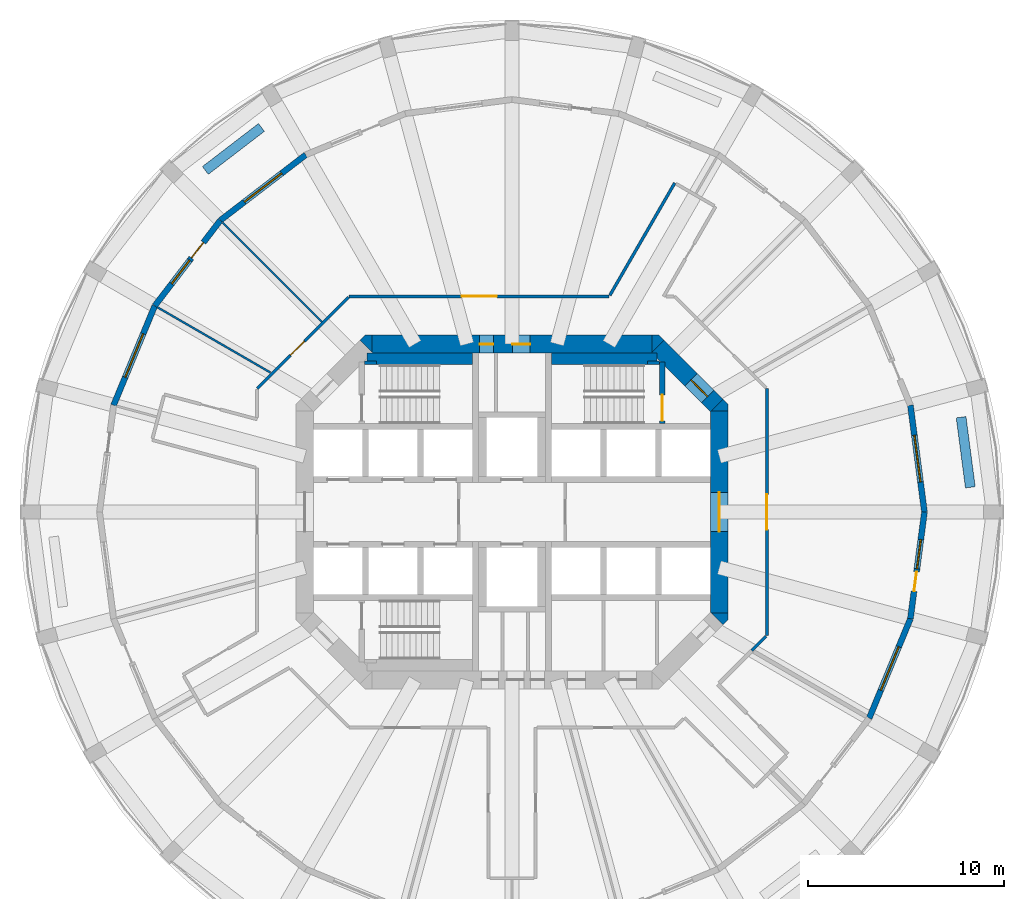
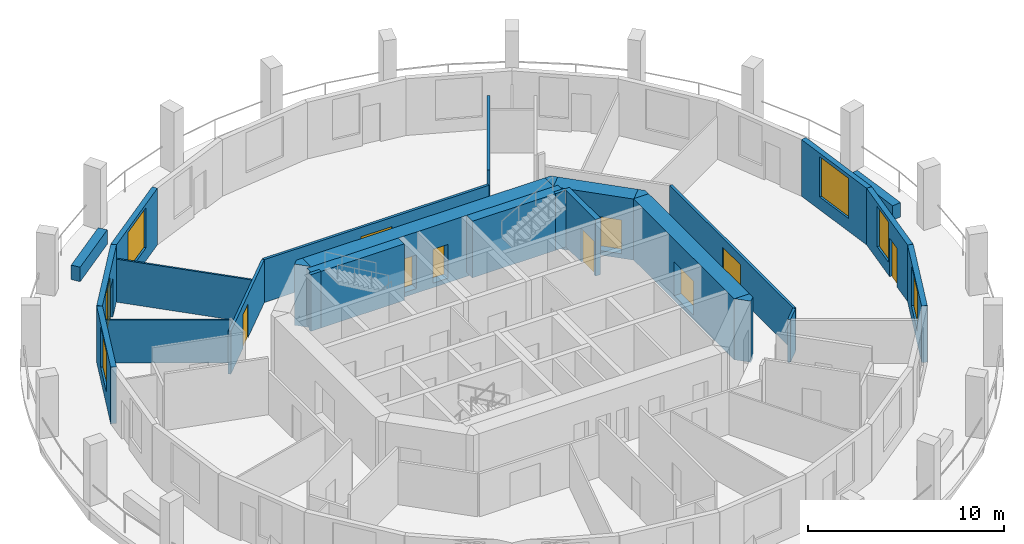
# One storey, part 5 of 8: 27 walls, 10 doors, 6 windows, 16 openings.
"""IFC4 building model written with IfcOpenShell, lengths in metres."""

from ifc_helpers import new_model, si_unit, direction, frame, frame_2d, origin, place, context, subcontext, project, spatial, polyline, rectangle, outline, extrude, material, layer, layer_set, type_object, element, fill, save


model = new_model("IFC4")

# Units and contexts
model_context = context("Model", 3, precision=1e-05, world=origin(), true_north=direction((0.0, 1.0)))
body_context = subcontext(model_context, "Body", "Model", "MODEL_VIEW")
ifc_project = project(units=[si_unit("LENGTHUNIT", "METRE"), si_unit("AREAUNIT", "SQUARE_METRE"), si_unit("VOLUMEUNIT", "CUBIC_METRE"), si_unit("PLANEANGLEUNIT", "RADIAN"), si_unit("MASSUNIT", "GRAM", prefix="KILO")], contexts=[model_context])

# Site, building, storey
site_placement = place(None, origin())
site = spatial("IfcSite", under=ifc_project, at=site_placement, CompositionType="ELEMENT")
building_placement = place(site_placement, origin())
building = spatial("IfcBuilding", under=site, at=building_placement, Name="Torre Triforio", CompositionType="ELEMENT")
storey_placement = place(building_placement, frame((0.0, 0.0, 123.800048828125)))
storey = spatial("IfcBuildingStorey", under=building, at=storey_placement, Name="L27", CompositionType="ELEMENT", Elevation=123.800048828125)

# Wall, openings, doors
ifc_material_1 = material(Name="Concrete C60", Category="concrete")
ifc_layer_1 = layer(ifc_material_1, 0.89990234375)
ifc_layer_set_1 = layer_set([ifc_layer_1], Name="Concrete C60")
wall_type_1 = type_object("IfcWallType", Name="Core wall 900 mm C60 EI 120", PredefinedType="SHEAR", material=ifc_layer_set_1)
wall_1_placement = place(storey_placement, frame((-7.1298828125, 8.550048828125, -0.280029296875), z_axis=(0.0, 0.0, 1.0), x_axis=(1.0, 0.0, 0.0)))
wall_1 = element("IfcWall", 1, at=wall_1_placement, inside=storey, type_object=wall_type_1, Name="Core wall", PredefinedType="SHEAR", context=body_context, shape_type="SweptSolid", body=[
    extrude(rectangle(XDim=14.259765625, YDim=0.89990234375, at=frame_2d((7.1298828125, 0.0))), origin(), (0.0, 0.0, 1.0), 3.800048828125),
])
opening_1_placement = place(wall_1_placement, frame((5.47998046875, 0.0, 0.280029296875)))
opening_1 = element("IfcOpeningElement", 2, at=opening_1_placement, cuts=wall_1, Name="Opening RISER-N", PredefinedType="OPENING", context=body_context, shape_type="SweptSolid", body=[
    extrude(rectangle(XDim=0.699951171875, YDim=2.10009765625, at=frame_2d((0.35009765625, 1.050048828125))), frame((0.0, 0.4599609375, 0.0), z_axis=(0.0, -1.0, 0.0), x_axis=(1.0, 0.0, 0.0)), (0.0, 0.0, 1.0), 0.919921875),
])
opening_2_placement = place(wall_1_placement, frame((7.155029296875, 0.0, 0.280029296875)))
opening_2 = element("IfcOpeningElement", 3, at=opening_2_placement, cuts=wall_1, Name="Opening NE-01", PredefinedType="OPENING", context=body_context, shape_type="SweptSolid", body=[
    extrude(rectangle(XDim=0.89990234375, YDim=2.10009765625, at=frame_2d((0.449951171875, 1.050048828125))), frame((0.0, 0.4599609375, 0.0), z_axis=(0.0, -1.0, 0.0), x_axis=(1.0, 0.0, 0.0)), (0.0, 0.0, 1.0), 0.919921875),
])
ifc_material_2 = material(Name="Hollow metal fire door leaf")
door_type_1 = type_object("IfcDoorType", Name="Riser door 700 x 2100 EI 60", OperationType="NOTDEFINED", PredefinedType="DOOR", material=ifc_material_2)
door_1_placement = place(opening_1_placement, origin())
door_1 = element("IfcDoor", 4, at=door_1_placement, inside=storey, type_object=door_type_1, Name="Core door RISER-N", OperationType="SINGLE_SWING_LEFT", OverallHeight=2.10009765625, OverallWidth=0.699951171875, PredefinedType="DOOR", context=body_context, shape_type="SweptSolid", body=[
    extrude(rectangle(XDim=0.699951171875, YDim=2.10009765625, at=frame_2d((0.35009765625, 1.050048828125))), frame((0.0, 0.02490234375, 0.0), z_axis=(0.0, -1.0, 0.0), x_axis=(1.0, 0.0, 0.0)), (0.0, 0.0, 1.0), 0.050048828125),
])
fill(opening_1, door_1)
door_type_2 = type_object("IfcDoorType", Name="Room door 900 x 2100 EI 60", OperationType="NOTDEFINED", PredefinedType="DOOR", material=ifc_material_2)
door_2_placement = place(opening_2_placement, origin())
door_2 = element("IfcDoor", 5, at=door_2_placement, inside=storey, type_object=door_type_2, Name="Core door NE-01", OperationType="SINGLE_SWING_RIGHT", OverallHeight=2.10009765625, OverallWidth=0.89990234375, PredefinedType="DOOR", context=body_context, shape_type="SweptSolid", body=[
    extrude(rectangle(XDim=0.89990234375, YDim=2.10009765625, at=frame_2d((0.449951171875, 1.050048828125))), frame((0.0, 0.02490234375, 0.0), z_axis=(0.0, -1.0, 0.0), x_axis=(1.0, 0.0, 0.0)), (0.0, 0.0, 1.0), 0.050048828125),
])
fill(opening_2, door_2)

# Wall, opening, door
wall_2_placement = place(storey_placement, frame((10.550048828125, -5.1298828125, -0.280029296875), z_axis=(0.0, 0.0, 1.0), x_axis=(0.0, 1.0, 0.0)))
wall_2 = element("IfcWall", 6, at=wall_2_placement, inside=storey, type_object=wall_type_1, Name="Core wall", PredefinedType="SHEAR", context=body_context, shape_type="SweptSolid", body=[
    extrude(rectangle(XDim=10.259765625, YDim=0.89990234375, at=frame_2d((5.1298828125, 0.0))), origin(), (0.0, 0.0, 1.0), 3.800048828125),
])
opening_3_placement = place(wall_2_placement, frame((4.1298828125, 0.0, 0.280029296875)))
opening_3 = element("IfcOpeningElement", 7, at=opening_3_placement, cuts=wall_2, Name="Opening E-RING", PredefinedType="OPENING", context=body_context, shape_type="SweptSolid", body=[
    extrude(rectangle(XDim=2.0, YDim=2.10009765625, at=frame_2d((1.0, 1.050048828125))), frame((0.0, 0.4599609375, 0.0), z_axis=(0.0, -1.0, 0.0), x_axis=(1.0, 0.0, 0.0)), (0.0, 0.0, 1.0), 0.919921875),
])
door_type_3 = type_object("IfcDoorType", Name="Lobby door 2000 x 2100 EI 60", OperationType="DOUBLE_DOOR_SINGLE_SWING", PredefinedType="DOOR", material=ifc_material_2)
door_3_placement = place(opening_3_placement, origin())
door_3 = element("IfcDoor", 8, at=door_3_placement, inside=storey, type_object=door_type_3, Name="Core door E-RING", OperationType="DOUBLE_DOOR_SINGLE_SWING", OverallHeight=2.10009765625, OverallWidth=2.0, PredefinedType="DOOR", context=body_context, shape_type="SweptSolid", body=[
    extrude(rectangle(XDim=2.0, YDim=2.10009765625, at=frame_2d((1.0, 1.050048828125))), frame((0.0, 0.02490234375, 0.0), z_axis=(0.0, -1.0, 0.0), x_axis=(1.0, 0.0, 0.0)), (0.0, 0.0, 1.0), 0.050048828125),
])
fill(opening_3, door_3)

wall_3_placement = place(storey_placement, frame((7.418212890625, 8.418212890625, -0.280029296875), z_axis=(0.0, 0.0, 1.0), x_axis=(0.707106781187, -0.707106781187, 0.0)))
wall_3 = element("IfcWall", 9, at=wall_3_placement, inside=storey, type_object=wall_type_1, Name="Core wall", PredefinedType="SHEAR", context=body_context, shape_type="SweptSolid", body=[
    extrude(rectangle(XDim=4.24267578125, YDim=0.89990234375, at=frame_2d((2.121337890625, 0.0))), origin(), (0.0, 0.0, 1.0), 3.800048828125),
])
opening_4_placement = place(wall_3_placement, frame((2.392578125, 0.0, 0.280029296875)))
opening_4 = element("IfcOpeningElement", 10, at=opening_4_placement, cuts=wall_3, Name="Opening ST2-EXIT", PredefinedType="OPENING", context=body_context, shape_type="SweptSolid", body=[
    extrude(rectangle(XDim=1.199951171875, YDim=2.10009765625, at=frame_2d((0.60009765625, 1.050048828125))), frame((0.0, 0.4599609375, 0.0), z_axis=(0.0, -1.0, 0.0), x_axis=(1.0, 0.0, 0.0)), (0.0, 0.0, 1.0), 0.919921875),
])
door_type_4 = type_object("IfcDoorType", Name="Stair lobby door 1200 x 2100 EI 60", OperationType="NOTDEFINED", PredefinedType="DOOR", material=ifc_material_2)
door_4_placement = place(opening_4_placement, origin())
door_4 = element("IfcDoor", 11, at=door_4_placement, inside=storey, type_object=door_type_4, Name="Core door ST2-EXIT", OperationType="SINGLE_SWING_RIGHT", OverallHeight=2.10009765625, OverallWidth=1.199951171875, PredefinedType="DOOR", context=body_context, shape_type="SweptSolid", body=[
    extrude(rectangle(XDim=1.199951171875, YDim=2.10009765625, at=frame_2d((0.60009765625, 1.050048828125))), frame((0.0, 0.02490234375, 0.0), z_axis=(0.0, -1.0, 0.0), x_axis=(1.0, 0.0, 0.0)), (0.0, 0.0, 1.0), 0.050048828125),
])
fill(opening_4, door_4)

# Walls
wall_4_placement = place(storey_placement, frame((0.0, 0.0, -0.280029296875)))
element("IfcWall", 12, at=wall_4_placement, inside=storey, type_object=wall_type_1, Name="Core wall", PredefinedType="SHEAR", context=body_context, shape_type="SweptSolid", body=[
    extrude(outline(polyline([(11.0, -5.472900390625), (10.736328125, -5.736328125), (10.1298828125, -5.1298828125), (11.0, -5.1298828125), (11.0, -5.472900390625)])), origin(), (0.0, 0.0, 1.0), 3.800048828125),
])
wall_5_placement = place(storey_placement, frame((0.0, 0.0, -0.280029296875)))
element("IfcWall", 13, at=wall_5_placement, inside=storey, type_object=wall_type_1, Name="Core wall", PredefinedType="SHEAR", context=body_context, shape_type="SweptSolid", body=[
    extrude(outline(polyline([(11.0, 5.472900390625), (11.0, 5.1298828125), (10.1298828125, 5.1298828125), (10.736328125, 5.736328125), (11.0, 5.472900390625)])), origin(), (0.0, 0.0, 1.0), 3.800048828125),
])
wall_6_placement = place(storey_placement, frame((0.0, 0.0, -0.280029296875)))
element("IfcWall", 14, at=wall_6_placement, inside=storey, type_object=wall_type_1, Name="Core wall", PredefinedType="SHEAR", context=body_context, shape_type="SweptSolid", body=[
    extrude(outline(polyline([(-7.472900390625, 9.0), (-7.1298828125, 9.0), (-7.1298828125, 8.1298828125), (-7.736328125, 8.736328125), (-7.472900390625, 9.0)])), origin(), (0.0, 0.0, 1.0), 3.800048828125),
])
wall_7_placement = place(storey_placement, frame((0.0, 0.0, -0.280029296875)))
element("IfcWall", 15, at=wall_7_placement, inside=storey, type_object=wall_type_1, Name="Core wall", PredefinedType="SHEAR", context=body_context, shape_type="SweptSolid", body=[
    extrude(outline(polyline([(7.472900390625, 9.0), (7.736328125, 8.736328125), (7.1298828125, 8.1298828125), (7.1298828125, 9.0), (7.472900390625, 9.0)])), origin(), (0.0, 0.0, 1.0), 3.800048828125),
])

# Wall, opening, door
ifc_material_3 = material(Name="Plasterboard on metal studs")
ifc_layer_2 = layer(ifc_material_3, 0.14990234375)
ifc_layer_set_2 = layer_set([ifc_layer_2], Name="Plasterboard on metal studs")
wall_type_2 = type_object("IfcWallType", Name="Corridor and tenancy wall 150 mm EI 60", PredefinedType="PARTITIONING", material=ifc_layer_set_2)
wall_8_placement = place(storey_placement, frame((-12.97509765625, 6.291015625, 0.0), z_axis=(0.0, 0.0, 1.0), x_axis=(0.707125355289, 0.707088206597, 0.0)))
wall_8 = element("IfcWall", 16, at=wall_8_placement, inside=storey, type_object=wall_type_2, Name="Partition 8", PredefinedType="PARTITIONING", context=body_context, shape_type="SweptSolid", body=[
    extrude(rectangle(XDim=6.572021484375, YDim=0.14990234375, at=frame_2d((3.2861328125, 0.0))), origin(), (0.0, 0.0, 1.0), 2.669921875),
])
opening_5_placement = place(wall_8_placement, frame((2.400390625, 0.0, 0.0)))
opening_5 = element("IfcOpeningElement", 17, at=opening_5_placement, cuts=wall_8, Name="Opening D1-02", PredefinedType="OPENING", context=body_context, shape_type="SweptSolid", body=[
    extrude(rectangle(XDim=1.0, YDim=2.10009765625, at=frame_2d((0.5, 1.050048828125))), frame((0.0, 0.0849609375, 0.0), z_axis=(0.0, -1.0, 0.0), x_axis=(1.0, 0.0, 0.0)), (0.0, 0.0, 1.0), 0.169921875),
])
ifc_material_4 = material(Name="Timber", Category="wood")
door_type_5 = type_object("IfcDoorType", Name="Door 1000 x 2100 single leaf EI 30", OperationType="NOTDEFINED", PredefinedType="DOOR", material=ifc_material_4)
door_5_placement = place(opening_5_placement, origin())
door_5 = element("IfcDoor", 18, at=door_5_placement, inside=storey, type_object=door_type_5, Name="Door D1-02", OperationType="SINGLE_SWING_RIGHT", OverallHeight=2.10009765625, OverallWidth=1.0, PredefinedType="DOOR", context=body_context, shape_type="SweptSolid", body=[
    extrude(rectangle(XDim=1.0, YDim=2.10009765625, at=frame_2d((0.5, 1.050048828125))), frame((0.0, 0.02490234375, 0.0), z_axis=(0.0, -1.0, 0.0), x_axis=(1.0, 0.0, 0.0)), (0.0, 0.0, 1.0), 0.050048828125),
])
fill(opening_5, door_5)

wall_9_placement = place(storey_placement, frame((-8.291015625, 10.97509765625, 0.0), z_axis=(0.0, 0.0, 1.0), x_axis=(1.0, 0.0, 0.0)))
wall_9 = element("IfcWall", 19, at=wall_9_placement, inside=storey, type_object=wall_type_2, Name="Partition 9", PredefinedType="PARTITIONING", context=body_context, shape_type="SweptSolid", body=[
    extrude(rectangle(XDim=13.24169921875, YDim=0.14990234375, at=frame_2d((6.620849609375, 0.0))), origin(), (0.0, 0.0, 1.0), 2.669921875),
])
opening_6_placement = place(wall_9_placement, frame((5.720703125, 0.0, 0.0)))
opening_6 = element("IfcOpeningElement", 20, at=opening_6_placement, cuts=wall_9, Name="Opening D1-01", PredefinedType="OPENING", context=body_context, shape_type="SweptSolid", body=[
    extrude(rectangle(XDim=1.800048828125, YDim=2.10009765625, at=frame_2d((0.89990234375, 1.050048828125))), frame((0.0, 0.0849609375, 0.0), z_axis=(0.0, -1.0, 0.0), x_axis=(1.0, 0.0, 0.0)), (0.0, 0.0, 1.0), 0.169921875),
])
door_type_6 = type_object("IfcDoorType", Name="Door 1800 x 2100 double leaf EI 30", OperationType="DOUBLE_DOOR_SINGLE_SWING", PredefinedType="DOOR", material=ifc_material_4)
door_6_placement = place(opening_6_placement, origin())
door_6 = element("IfcDoor", 21, at=door_6_placement, inside=storey, type_object=door_type_6, Name="Door D1-01", OperationType="DOUBLE_DOOR_SINGLE_SWING", OverallHeight=2.10009765625, OverallWidth=1.800048828125, PredefinedType="DOOR", context=body_context, shape_type="SweptSolid", body=[
    extrude(rectangle(XDim=1.800048828125, YDim=2.10009765625, at=frame_2d((0.89990234375, 1.050048828125))), frame((0.0, 0.02490234375, 0.0), z_axis=(0.0, -1.0, 0.0), x_axis=(1.0, 0.0, 0.0)), (0.0, 0.0, 1.0), 0.050048828125),
])
fill(opening_6, door_6)

# Wall
wall_10_placement = place(storey_placement, frame((4.9833984375, 11.03125, 0.0), z_axis=(0.0, 0.0, 1.0), x_axis=(0.499988075443, 0.866032288321, 0.0)))
element("IfcWall", 22, at=wall_10_placement, inside=storey, type_object=wall_type_2, Name="Partition 10", PredefinedType="PARTITIONING", context=body_context, shape_type="SweptSolid", body=[
    extrude(rectangle(XDim=6.603759765625, YDim=0.14990234375, at=frame_2d((3.3017578125, 0.0))), origin(), (0.0, 0.0, 1.0), 3.52001953125),
])

# Wall, opening, door
wall_11_placement = place(storey_placement, frame((12.97509765625, 6.291015625, 0.0), z_axis=(0.0, 0.0, 1.0), x_axis=(0.0, -1.0, 0.0)))
wall_11 = element("IfcWall", 23, at=wall_11_placement, inside=storey, type_object=wall_type_2, Name="Partition 15", PredefinedType="PARTITIONING", context=body_context, shape_type="SweptSolid", body=[
    extrude(rectangle(XDim=12.58203125, YDim=0.14990234375, at=frame_2d((6.291015625, 0.0))), origin(), (0.0, 0.0, 1.0), 2.669921875),
])
opening_7_placement = place(wall_11_placement, frame((5.390869140625, 0.0, 0.0)))
opening_7 = element("IfcOpeningElement", 24, at=opening_7_placement, cuts=wall_11, Name="Opening D1-12", PredefinedType="OPENING", context=body_context, shape_type="SweptSolid", body=[
    extrude(rectangle(XDim=1.800048828125, YDim=2.10009765625, at=frame_2d((0.89990234375, 1.050048828125))), frame((0.0, 0.0849609375, 0.0), z_axis=(0.0, -1.0, 0.0), x_axis=(1.0, 0.0, 0.0)), (0.0, 0.0, 1.0), 0.169921875),
])
door_7_placement = place(opening_7_placement, origin())
door_7 = element("IfcDoor", 25, at=door_7_placement, inside=storey, type_object=door_type_6, Name="Door D1-12", OperationType="DOUBLE_DOOR_SINGLE_SWING", OverallHeight=2.10009765625, OverallWidth=1.800048828125, PredefinedType="DOOR", context=body_context, shape_type="SweptSolid", body=[
    extrude(rectangle(XDim=1.800048828125, YDim=2.10009765625, at=frame_2d((0.89990234375, 1.050048828125))), frame((0.0, 0.02490234375, 0.0), z_axis=(0.0, -1.0, 0.0), x_axis=(1.0, 0.0, 0.0)), (0.0, 0.0, 1.0), 0.050048828125),
])
fill(opening_7, door_7)

# Walls
wall_12_placement = place(storey_placement, frame((12.93798828125, -6.327880859375, 0.0), z_axis=(0.0, 0.0, 1.0), x_axis=(-0.707106781187, -0.707106781187, 0.0)))
element("IfcWall", 26, at=wall_12_placement, inside=storey, type_object=wall_type_2, Name="Partition 16", PredefinedType="PARTITIONING", context=body_context, shape_type="SweptSolid", body=[
    extrude(rectangle(XDim=1.023681640625, YDim=0.14990234375, at=frame_2d((0.51171875, 0.0))), origin(), (0.0, 0.0, 1.0), 2.669921875),
])
ifc_layer_3 = layer(ifc_material_3, 0.10009765625)
ifc_layer_set_3 = layer_set([ifc_layer_3], Name="Plasterboard on metal studs")
wall_type_3 = type_object("IfcWallType", Name="Partition 100 mm board on metal studs", PredefinedType="PARTITIONING", material=ifc_layer_set_3)
wall_13_placement = place(storey_placement, frame((-9.68603515625, 9.68603515625, 0.0), z_axis=(0.0, 0.0, 1.0), x_axis=(-0.707106781187, 0.707106781187, 0.0)))
element("IfcWall", 27, at=wall_13_placement, inside=storey, type_object=wall_type_3, Name="Partition 33", PredefinedType="PARTITIONING", context=body_context, shape_type="SweptSolid", body=[
    extrude(rectangle(XDim=7.138671875, YDim=0.10009765625, at=frame_2d((3.5693359375, 0.0))), origin(), (0.0, 0.0, 1.0), 2.669921875),
])
wall_14_placement = place(storey_placement, frame((-12.294189453125, 7.097900390625, 0.0), z_axis=(0.0, 0.0, 1.0), x_axis=(-0.866010486135, 0.500025837236, 0.0)))
element("IfcWall", 28, at=wall_14_placement, inside=storey, type_object=wall_type_3, Name="Partition 34", PredefinedType="PARTITIONING", context=body_context, shape_type="SweptSolid", body=[
    extrude(rectangle(XDim=6.640869140625, YDim=0.10009765625, at=frame_2d((3.3203125, 0.0))), origin(), (0.0, 0.0, 1.0), 2.669921875),
])
ifc_material_5 = material(Name="Limestone cladding", Category="masonry")
ifc_layer_4 = layer(ifc_material_5, 0.10009765625)
ifc_material_6 = material(Name="Concrete C40", Category="concrete")
ifc_layer_5 = layer(ifc_material_6, 0.39990234375)
ifc_layer_set_4 = layer_set([ifc_layer_4, ifc_layer_5], Name="Limestone cladding / Concrete C40")
wall_type_4 = type_object("IfcWallType", Name="Planter wall 500", PredefinedType="PARAPET", material=ifc_layer_set_4)
for number, where, z_axis, x_axis, name in (
    (29, (23.335693359375, 1.256591796875, 0.0), (0.0, 0.0, 1.0), (-0.130542222659, 0.991442750795, 0.0), "Planter L27 bay 01"),
    (30, (-12.756103515625, 19.580810546875, 0.0), (0.0, 0.0, 1.0), (-0.793384730612, -0.608720518162, 0.0), "Planter L27 bay 09"),
):
    element("IfcWall", number, at=place(storey_placement, frame(where, z_axis=z_axis, x_axis=x_axis)), inside=storey, type_object=wall_type_4, Name=name, PredefinedType="PARAPET", context=body_context, shape_type="SweptSolid", body=[
        extrude(rectangle(XDim=3.60009765625, YDim=0.5, at=frame_2d((1.800048828125, 0.0))), origin(), (0.0, 0.0, 1.0), 0.89990234375),
    ])
ifc_layer_6 = layer(ifc_material_1, 0.199951171875)
ifc_layer_set_5 = layer_set([ifc_layer_6], Name="Concrete C60")
wall_type_5 = type_object("IfcWallType", Name="Stair wall 200 mm C60 EI 120", PredefinedType="SHEAR", material=ifc_layer_set_5)
for number, where, z_axis, x_axis, name in (
    (31, (-7.5, 7.60009765625, 0.0), (0.0, 0.0, 1.0), (1.0, 0.0, 0.0), "Stair wall"),
    (32, (6.89990234375, 7.60009765625, 0.0), (0.0, 0.0, 1.0), (1.0, 0.0, 0.0), "Stair wall"),
):
    element("IfcWall", number, at=place(storey_placement, frame(where, z_axis=z_axis, x_axis=x_axis)), inside=storey, type_object=wall_type_5, Name=name, PredefinedType="SHEAR", context=body_context, shape_type="SweptSolid", body=[
        extrude(rectangle(XDim=0.60009765625, YDim=0.199951171875, at=frame_2d((0.300048828125, 0.0))), origin(), (0.0, 0.0, 1.0), 3.52001953125),
    ])

# Wall, opening, door
ifc_layer_7 = layer(ifc_material_1, 0.300048828125)
ifc_layer_set_6 = layer_set([ifc_layer_7], Name="Concrete C60")
wall_type_6 = type_object("IfcWallType", Name="Stair wall 300 mm C60 EI 120", PredefinedType="SHEAR", material=ifc_layer_set_6)
wall_15_placement = place(storey_placement, frame((7.64990234375, 4.5, 0.0), z_axis=(0.0, 0.0, 1.0), x_axis=(0.0, 1.0, 0.0)))
wall_15 = element("IfcWall", 33, at=wall_15_placement, inside=storey, type_object=wall_type_6, Name="Stair wall", PredefinedType="SHEAR", context=body_context, shape_type="SweptSolid", body=[
    extrude(rectangle(XDim=3.139892578125, YDim=0.300048828125, at=frame_2d((1.56982421875, 0.0))), origin(), (0.0, 0.0, 1.0), 3.52001953125),
])
opening_8_placement = place(wall_15_placement, frame((0.139892578125, 0.0, 0.0)))
opening_8 = element("IfcOpeningElement", 34, at=opening_8_placement, cuts=wall_15, Name="Opening ST2-STA", PredefinedType="OPENING", context=body_context, shape_type="SweptSolid", body=[
    extrude(rectangle(XDim=1.320068359375, YDim=2.10009765625, at=frame_2d((0.66015625, 1.050048828125))), frame((0.0, 0.159912109375, 0.0), z_axis=(0.0, -1.0, 0.0), x_axis=(1.0, 0.0, 0.0)), (0.0, 0.0, 1.0), 0.320068359375),
])
door_type_7 = type_object("IfcDoorType", Name="Stair door 1320 x 2100 EI 90", OperationType="DOUBLE_DOOR_SINGLE_SWING", PredefinedType="DOOR", material=ifc_material_2)
door_8_placement = place(opening_8_placement, origin())
door_8 = element("IfcDoor", 35, at=door_8_placement, inside=storey, type_object=door_type_7, Name="Core door ST2-ST", OperationType="DOUBLE_DOOR_SINGLE_SWING", OverallHeight=2.10009765625, OverallWidth=1.320068359375, PredefinedType="DOOR", context=body_context, shape_type="SweptSolid", body=[
    extrude(rectangle(XDim=1.320068359375, YDim=2.10009765625, at=frame_2d((0.66015625, 1.050048828125))), frame((0.0, 0.02490234375, 0.0), z_axis=(0.0, -1.0, 0.0), x_axis=(1.0, 0.0, 0.0)), (0.0, 0.0, 1.0), 0.050048828125),
])
fill(opening_8, door_8)

# Walls
ifc_layer_8 = layer(ifc_material_1, 0.60009765625)
ifc_layer_set_7 = layer_set([ifc_layer_8], Name="Concrete C60")
wall_type_7 = type_object("IfcWallType", Name="Stair wall 600 mm C60 EI 120", PredefinedType="SHEAR", material=ifc_layer_set_7)
for number, where, z_axis, x_axis, name in (
    (36, (-7.3701171875, 7.800048828125, 0.0), (0.0, 0.0, 1.0), (1.0, 0.0, 0.0), "Stair wall"),
    (37, (2.0, 7.800048828125, 0.0), (0.0, 0.0, 1.0), (1.0, 0.0, 0.0), "Stair wall"),
):
    element("IfcWall", number, at=place(storey_placement, frame(where, z_axis=z_axis, x_axis=x_axis)), inside=storey, type_object=wall_type_7, Name=name, PredefinedType="SHEAR", context=body_context, shape_type="SweptSolid", body=[
        extrude(rectangle(XDim=5.3701171875, YDim=0.60009765625, at=frame_2d((2.68505859375, 0.0))), origin(), (0.0, 0.0, 1.0), 3.52001953125),
    ])

# Wall, opening, window
ifc_layer_9 = layer(ifc_material_5, 0.10009765625)
ifc_layer_10 = layer(ifc_material_6, 0.199951171875)
ifc_layer_set_8 = layer_set([ifc_layer_9, ifc_layer_10], Name="Limestone cladding / Concrete C40")
wall_type_8 = type_object("IfcWallType", Name="Stone-faced composite wall 300", PredefinedType="STANDARD", material=ifc_layer_set_8)
wall_16_placement = place(storey_placement, frame((21.0, 0.0, 0.0), z_axis=(0.0, 0.0, 1.0), x_axis=(-0.130527087244, 0.991444743541, 0.0)))
wall_16 = element("IfcWall", 38, at=wall_16_placement, inside=storey, type_object=wall_type_8, Name="External wall L27 bay 01", PredefinedType="STANDARD", context=body_context, shape_type="SweptSolid", body=[
    extrude(rectangle(XDim=5.482177734375, YDim=0.300048828125, at=frame_2d((2.7412109375, 0.0))), origin(), (0.0, 0.0, 1.0), 3.52001953125),
])
opening_9_placement = place(wall_16_placement, frame((1.541015625, 0.0, 0.800048828125)))
opening_9 = element("IfcOpeningElement", 39, at=opening_9_placement, cuts=wall_16, Name="Opening D1-W01", PredefinedType="OPENING", context=body_context, shape_type="SweptSolid", body=[
    extrude(rectangle(XDim=2.39990234375, YDim=2.5, at=frame_2d((1.199951171875, 1.25))), frame((0.0, 0.159912109375, 0.0), z_axis=(0.0, -1.0, 0.0), x_axis=(1.0, 0.0, 0.0)), (0.0, 0.0, 1.0), 0.320068359375),
])
ifc_material_7 = material(Name="Aluminium frame with clear double glazing", Category="aluminium")
window_type_1 = type_object("IfcWindowType", Name="Punched window 2400 x 2500", PartitioningType="DOUBLE_PANEL_VERTICAL", PredefinedType="WINDOW", material=ifc_material_7)
window_1_placement = place(opening_9_placement, origin())
window_1 = element("IfcWindow", 40, at=window_1_placement, inside=storey, type_object=window_type_1, Name="Window EWN3 L27 bay 01", OverallHeight=2.5, OverallWidth=2.39990234375, PartitioningType="SINGLE_PANEL", PredefinedType="WINDOW", context=body_context, shape_type="SweptSolid", body=[
    extrude(rectangle(XDim=2.39990234375, YDim=2.5, at=frame_2d((1.199951171875, 1.25))), frame((0.0, 0.030029296875, 0.0), z_axis=(0.0, -1.0, 0.0), x_axis=(1.0, 0.0, 0.0)), (0.0, 0.0, 1.0), 0.06005859375),
])
fill(opening_9, window_1)

wall_17_placement = place(storey_placement, frame((-10.5, 18.1865234375, 0.0), z_axis=(0.0, 0.0, 1.0), x_axis=(-0.793335336593, -0.608784891166, 0.0)))
wall_17 = element("IfcWall", 41, at=wall_17_placement, inside=storey, type_object=wall_type_8, Name="External wall L27 bay 09", PredefinedType="STANDARD", context=body_context, shape_type="SweptSolid", body=[
    extrude(rectangle(XDim=5.482177734375, YDim=0.300048828125, at=frame_2d((2.7412109375, 0.0))), origin(), (0.0, 0.0, 1.0), 3.52001953125),
])
opening_10_placement = place(wall_17_placement, frame((1.541015625, 0.0, 0.800048828125)))
opening_10 = element("IfcOpeningElement", 42, at=opening_10_placement, cuts=wall_17, Name="Opening D1-W09", PredefinedType="OPENING", context=body_context, shape_type="SweptSolid", body=[
    extrude(rectangle(XDim=2.39990234375, YDim=2.5, at=frame_2d((1.199951171875, 1.25))), frame((0.0, 0.159912109375, 0.0), z_axis=(0.0, -1.0, 0.0), x_axis=(1.0, 0.0, 0.0)), (0.0, 0.0, 1.0), 0.320068359375),
])
window_2_placement = place(opening_10_placement, origin())
window_2 = element("IfcWindow", 43, at=window_2_placement, inside=storey, type_object=window_type_1, Name="Window EWN3 L27 bay 09", OverallHeight=2.5, OverallWidth=2.39990234375, PartitioningType="SINGLE_PANEL", PredefinedType="WINDOW", context=body_context, shape_type="SweptSolid", body=[
    extrude(rectangle(XDim=2.39990234375, YDim=2.5, at=frame_2d((1.199951171875, 1.25))), frame((0.0, 0.030029296875, 0.0), z_axis=(0.0, -1.0, 0.0), x_axis=(1.0, 0.0, 0.0)), (0.0, 0.0, 1.0), 0.06005859375),
])
fill(opening_10, window_2)

# Wall, openings, door, window
wall_18_placement = place(storey_placement, frame((-14.84912109375, 14.84912109375, 0.0), z_axis=(0.0, 0.0, 1.0), x_axis=(-0.608784891166, -0.793335336593, 0.0)))
wall_18 = element("IfcWall", 44, at=wall_18_placement, inside=storey, type_object=wall_type_8, Name="External wall L27 bay 10", PredefinedType="STANDARD", context=body_context, shape_type="SweptSolid", body=[
    extrude(rectangle(XDim=5.482177734375, YDim=0.300048828125, at=frame_2d((2.7412109375, 0.0))), origin(), (0.0, 0.0, 1.0), 3.52001953125),
])
opening_11_placement = place(wall_18_placement, frame((1.416015625, 0.0, 0.0)))
opening_11 = element("IfcOpeningElement", 45, at=opening_11_placement, cuts=wall_18, Name="Opening D1-D10", PredefinedType="OPENING", context=body_context, shape_type="SweptSolid", body=[
    extrude(rectangle(XDim=1.0, YDim=2.39990234375, at=frame_2d((0.5, 1.199951171875))), frame((0.0, 0.159912109375, 0.0), z_axis=(0.0, -1.0, 0.0), x_axis=(1.0, 0.0, 0.0)), (0.0, 0.0, 1.0), 0.320068359375),
])
opening_12_placement = place(wall_18_placement, frame((2.56591796875, 0.0, 0.800048828125)))
opening_12 = element("IfcOpeningElement", 46, at=opening_12_placement, cuts=wall_18, Name="Opening D1-W10A", PredefinedType="OPENING", context=body_context, shape_type="SweptSolid", body=[
    extrude(rectangle(XDim=1.5, YDim=2.5, at=frame_2d((0.75, 1.25))), frame((0.0, 0.159912109375, 0.0), z_axis=(0.0, -1.0, 0.0), x_axis=(1.0, 0.0, 0.0)), (0.0, 0.0, 1.0), 0.320068359375),
])
door_type_8 = type_object("IfcDoorType", Name="Loggia door 1000 x 2400", OperationType="NOTDEFINED", PredefinedType="DOOR", material=ifc_material_7)
door_9_placement = place(opening_11_placement, origin())
door_9 = element("IfcDoor", 47, at=door_9_placement, inside=storey, type_object=door_type_8, Name="Loggia door L27 bay 10", OperationType="SINGLE_SWING_LEFT", OverallHeight=2.39990234375, OverallWidth=1.0, PredefinedType="DOOR", context=body_context, shape_type="SweptSolid", body=[
    extrude(rectangle(XDim=1.0, YDim=2.39990234375, at=frame_2d((0.5, 1.199951171875))), frame((0.0, 0.02490234375, 0.0), z_axis=(0.0, -1.0, 0.0), x_axis=(1.0, 0.0, 0.0)), (0.0, 0.0, 1.0), 0.050048828125),
])
fill(opening_11, door_9)
window_type_2 = type_object("IfcWindowType", Name="Side window 1500 x 2500", PartitioningType="SINGLE_PANEL", PredefinedType="WINDOW", material=ifc_material_7)
window_3_placement = place(opening_12_placement, origin())
window_3 = element("IfcWindow", 48, at=window_3_placement, inside=storey, type_object=window_type_2, Name="Side window EWN13 L27 bay 10", OverallHeight=2.5, OverallWidth=1.5, PartitioningType="SINGLE_PANEL", PredefinedType="WINDOW", context=body_context, shape_type="SweptSolid", body=[
    extrude(rectangle(XDim=1.5, YDim=2.5, at=frame_2d((0.75, 1.25))), frame((0.0, 0.030029296875, 0.0), z_axis=(0.0, -1.0, 0.0), x_axis=(1.0, 0.0, 0.0)), (0.0, 0.0, 1.0), 0.06005859375),
])
fill(opening_12, window_3)

# Wall, opening, window
wall_19_placement = place(storey_placement, frame((-18.1865234375, 10.5, 0.0), z_axis=(0.0, 0.0, 1.0), x_axis=(-0.382688740813, -0.923877333662, 0.0)))
wall_19 = element("IfcWall", 49, at=wall_19_placement, inside=storey, type_object=wall_type_8, Name="External wall L27 bay 11", PredefinedType="STANDARD", context=body_context, shape_type="SweptSolid", body=[
    extrude(rectangle(XDim=5.48193359375, YDim=0.300048828125, at=frame_2d((2.740966796875, 0.0))), origin(), (0.0, 0.0, 1.0), 3.52001953125),
])
opening_13_placement = place(wall_19_placement, frame((1.541015625, 0.0, 0.800048828125)))
opening_13 = element("IfcOpeningElement", 50, at=opening_13_placement, cuts=wall_19, Name="Opening D1-W11", PredefinedType="OPENING", context=body_context, shape_type="SweptSolid", body=[
    extrude(rectangle(XDim=2.39990234375, YDim=2.5, at=frame_2d((1.199951171875, 1.25))), frame((0.0, 0.159912109375, 0.0), z_axis=(0.0, -1.0, 0.0), x_axis=(1.0, 0.0, 0.0)), (0.0, 0.0, 1.0), 0.320068359375),
])
window_4_placement = place(opening_13_placement, origin())
window_4 = element("IfcWindow", 51, at=window_4_placement, inside=storey, type_object=window_type_1, Name="Window EWN3 L27 bay 11", OverallHeight=2.5, OverallWidth=2.39990234375, PartitioningType="SINGLE_PANEL", PredefinedType="WINDOW", context=body_context, shape_type="SweptSolid", body=[
    extrude(rectangle(XDim=2.39990234375, YDim=2.5, at=frame_2d((1.199951171875, 1.25))), frame((0.0, 0.030029296875, 0.0), z_axis=(0.0, -1.0, 0.0), x_axis=(1.0, 0.0, 0.0)), (0.0, 0.0, 1.0), 0.06005859375),
])
fill(opening_13, window_4)

wall_20_placement = place(storey_placement, frame((18.1865234375, -10.5, 0.0), z_axis=(0.0, 0.0, 1.0), x_axis=(0.382688740813, 0.923877333662, 0.0)))
wall_20 = element("IfcWall", 52, at=wall_20_placement, inside=storey, type_object=wall_type_8, Name="External wall L27 bay 23", PredefinedType="STANDARD", context=body_context, shape_type="SweptSolid", body=[
    extrude(rectangle(XDim=5.48193359375, YDim=0.300048828125, at=frame_2d((2.740966796875, 0.0))), origin(), (0.0, 0.0, 1.0), 3.52001953125),
])
opening_14_placement = place(wall_20_placement, frame((1.541015625, 0.0, 0.800048828125)))
opening_14 = element("IfcOpeningElement", 53, at=opening_14_placement, cuts=wall_20, Name="Opening D1-W23", PredefinedType="OPENING", context=body_context, shape_type="SweptSolid", body=[
    extrude(rectangle(XDim=2.39990234375, YDim=2.5, at=frame_2d((1.199951171875, 1.25))), frame((0.0, 0.159912109375, 0.0), z_axis=(0.0, -1.0, 0.0), x_axis=(1.0, 0.0, 0.0)), (0.0, 0.0, 1.0), 0.320068359375),
])
window_5_placement = place(opening_14_placement, origin())
window_5 = element("IfcWindow", 54, at=window_5_placement, inside=storey, type_object=window_type_1, Name="Window EWN3 L27 bay 23", OverallHeight=2.5, OverallWidth=2.39990234375, PartitioningType="SINGLE_PANEL", PredefinedType="WINDOW", context=body_context, shape_type="SweptSolid", body=[
    extrude(rectangle(XDim=2.39990234375, YDim=2.5, at=frame_2d((1.199951171875, 1.25))), frame((0.0, 0.030029296875, 0.0), z_axis=(0.0, -1.0, 0.0), x_axis=(1.0, 0.0, 0.0)), (0.0, 0.0, 1.0), 0.06005859375),
])
fill(opening_14, window_5)

# Wall, openings, door, window
wall_21_placement = place(storey_placement, frame((20.284423828125, -5.435302734375, 0.0), z_axis=(0.0, 0.0, 1.0), x_axis=(0.130527087244, 0.991444743541, 0.0)))
wall_21 = element("IfcWall", 55, at=wall_21_placement, inside=storey, type_object=wall_type_8, Name="External wall L27 bay 24", PredefinedType="STANDARD", context=body_context, shape_type="SweptSolid", body=[
    extrude(rectangle(XDim=5.482177734375, YDim=0.300048828125, at=frame_2d((2.7412109375, 0.0))), origin(), (0.0, 0.0, 1.0), 3.52001953125),
])
opening_15_placement = place(wall_21_placement, frame((1.416015625, 0.0, 0.0)))
opening_15 = element("IfcOpeningElement", 56, at=opening_15_placement, cuts=wall_21, Name="Opening D1-D24", PredefinedType="OPENING", context=body_context, shape_type="SweptSolid", body=[
    extrude(rectangle(XDim=1.0, YDim=2.39990234375, at=frame_2d((0.5, 1.199951171875))), frame((0.0, 0.159912109375, 0.0), z_axis=(0.0, -1.0, 0.0), x_axis=(1.0, 0.0, 0.0)), (0.0, 0.0, 1.0), 0.320068359375),
])
opening_16_placement = place(wall_21_placement, frame((2.566162109375, 0.0, 0.800048828125)))
opening_16 = element("IfcOpeningElement", 57, at=opening_16_placement, cuts=wall_21, Name="Opening D1-W24A", PredefinedType="OPENING", context=body_context, shape_type="SweptSolid", body=[
    extrude(rectangle(XDim=1.5, YDim=2.5, at=frame_2d((0.75, 1.25))), frame((0.0, 0.159912109375, 0.0), z_axis=(0.0, -1.0, 0.0), x_axis=(1.0, 0.0, 0.0)), (0.0, 0.0, 1.0), 0.320068359375),
])
door_10_placement = place(opening_15_placement, origin())
door_10 = element("IfcDoor", 58, at=door_10_placement, inside=storey, type_object=door_type_8, Name="Loggia door L27 bay 24", OperationType="SINGLE_SWING_LEFT", OverallHeight=2.39990234375, OverallWidth=1.0, PredefinedType="DOOR", context=body_context, shape_type="SweptSolid", body=[
    extrude(rectangle(XDim=1.0, YDim=2.39990234375, at=frame_2d((0.5, 1.199951171875))), frame((0.0, 0.02490234375, 0.0), z_axis=(0.0, -1.0, 0.0), x_axis=(1.0, 0.0, 0.0)), (0.0, 0.0, 1.0), 0.050048828125),
])
fill(opening_15, door_10)
window_6_placement = place(opening_16_placement, origin())
window_6 = element("IfcWindow", 59, at=window_6_placement, inside=storey, type_object=window_type_2, Name="Side window EWN13 L27 bay 24", OverallHeight=2.5, OverallWidth=1.5, PartitioningType="SINGLE_PANEL", PredefinedType="WINDOW", context=body_context, shape_type="SweptSolid", body=[
    extrude(rectangle(XDim=1.5, YDim=2.5, at=frame_2d((0.75, 1.25))), frame((0.0, 0.030029296875, 0.0), z_axis=(0.0, -1.0, 0.0), x_axis=(1.0, 0.0, 0.0)), (0.0, 0.0, 1.0), 0.06005859375),
])
fill(opening_16, window_6)

save(model, "model.ifc")
